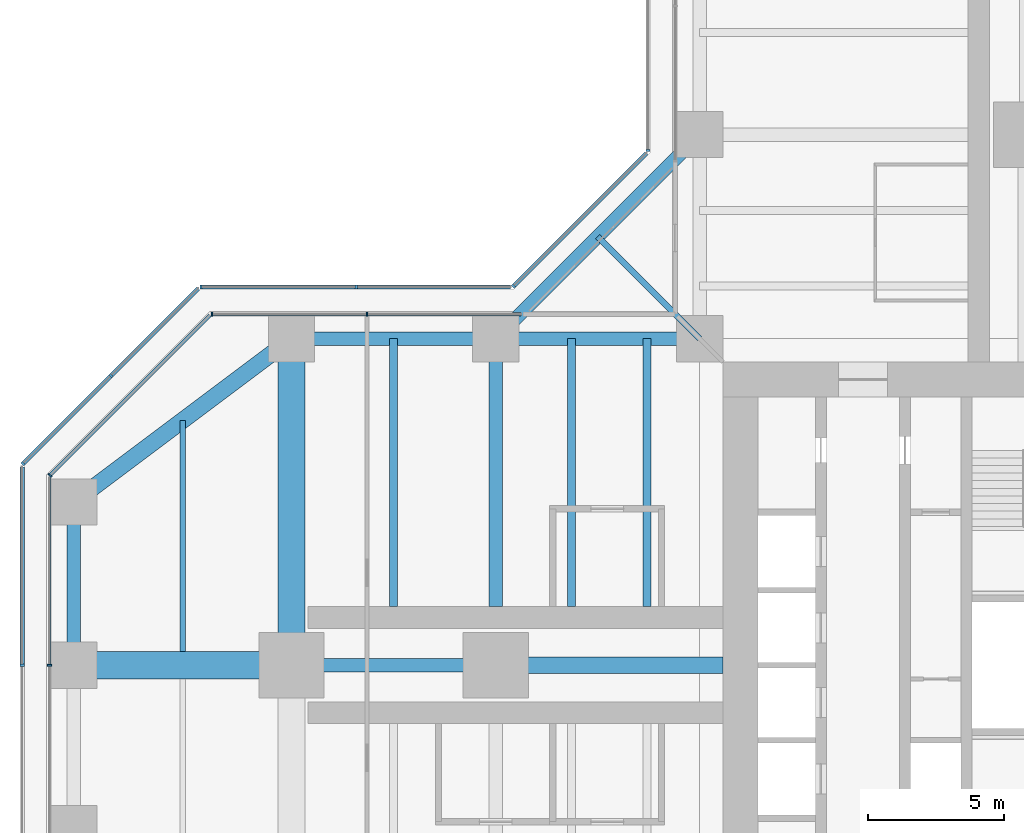
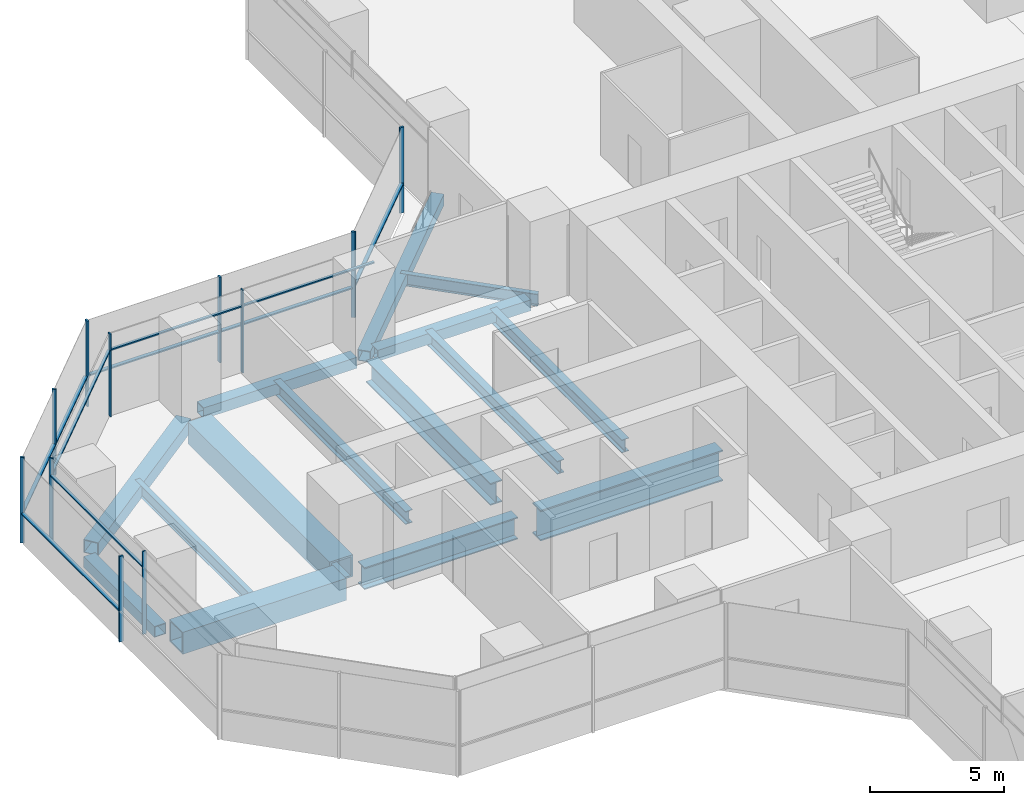
# One storey, part 8 of 22: 21 members, 15 beams, 8 elements without a shape of their own.
"""IFC4 building model written with IfcOpenShell, lengths in metres."""

import ifcopenshell
import ifcopenshell.guid

model = None  # the IFC model being written
_history = None  # IfcOwnerHistory: only IFC2X3 demands one
_inside = {}  # id of a spatial element -> (the spatial element, [elements in it])
_under = {}  # id of a project, library or spatial element -> (it, [spatial elements below it])
_declared = {}  # id of a project -> (the project, [libraries it declares])
_typed = {}  # id of a type object -> (the type object, [elements of that type])
_made_of = {}  # id of a material, layer set ... -> (it, [elements and type objects made of it])


def new_model(schema):
    """Start an empty IFC model of exactly this schema.

    Asked for "IFC4X3", IfcOpenShell would pick the latest addendum, in which some entities
    have other attributes; the version numbers below select the first issue.
    IFC2X3 requires an IfcOwnerHistory on every rooted entity: one is made here for all.
    """
    global model, _history
    if schema == "IFC4X3":
        model = ifcopenshell.file(schema_version=(4, 3, 0, 0))
    else:
        model = ifcopenshell.file(schema=schema)
    _inside.clear()
    _under.clear()
    _declared.clear()
    _typed.clear()
    _made_of.clear()
    _history = None
    if model.schema == "IFC2X3":
        org = make("IfcOrganization", Name="unknown")
        user = make(
            "IfcPersonAndOrganization",
            ThePerson=make("IfcPerson", FamilyName="unknown"),
            TheOrganization=org,
        )
        app = make(
            "IfcApplication",
            ApplicationDeveloper=org,
            Version="unknown",
            ApplicationFullName="unknown",
            ApplicationIdentifier="unknown",
        )
        _history = make(
            "IfcOwnerHistory",
            OwningUser=user,
            OwningApplication=app,
            ChangeAction="ADDED",
            CreationDate=0,
        )
    return model


def make(cls, **values):
    """One entity of the class cls with the attributes given. An attribute that is None is left unset."""
    return model.create_entity(
        cls, **{name: value for name, value in values.items() if value is not None}
    )


def rooted(cls, **values):
    """An entity with a GlobalId (a new one), such as an element, a storey or a relation."""
    return make(cls, GlobalId=ifcopenshell.guid.new(), OwnerHistory=_history, **values)


def si_unit(unit_type, name, prefix=None):
    """IfcSIUnit, for example si_unit("LENGTHUNIT", "METRE", prefix="MILLI")."""
    return make("IfcSIUnit", UnitType=unit_type, Prefix=prefix, Name=name)


def assignment(units):
    """IfcUnitAssignment: the units of a project."""
    return None if units is None else make("IfcUnitAssignment", Units=units)


def point(xyz):
    """IfcCartesianPoint."""
    return None if xyz is None else make("IfcCartesianPoint", Coordinates=xyz)


def direction(xyz):
    """IfcDirection."""
    return None if xyz is None else make("IfcDirection", DirectionRatios=xyz)


def frame(location, z_axis=None, x_axis=None):
    """IfcAxis2Placement3D, a coordinate frame: its origin and axes. An axis left out is left unset."""
    return make(
        "IfcAxis2Placement3D",
        Location=point(location),
        Axis=direction(z_axis),
        RefDirection=direction(x_axis),
    )


def frame_2d(location, x_axis=None):
    """IfcAxis2Placement2D, a coordinate frame in the plane: its origin and x axis."""
    return make(
        "IfcAxis2Placement2D", Location=point(location), RefDirection=direction(x_axis)
    )


def origin():
    """The frame at (0, 0, 0) with its axes left unset."""
    return frame((0.0, 0.0, 0.0))


def origin_2d():
    """The frame at (0, 0) in the plane with its x axis left unset."""
    return frame_2d((0.0, 0.0))


def place(relative_to, where):
    """IfcLocalPlacement: puts the frame where relative to a parent placement (None: the world)."""
    return make(
        "IfcLocalPlacement", PlacementRelTo=relative_to, RelativePlacement=where
    )


def context(
    kind, dimensions, precision=None, world=None, true_north=None, identifier=None
):
    """IfcGeometricRepresentationContext, for example the 3D "Model" context."""
    return make(
        "IfcGeometricRepresentationContext",
        ContextIdentifier=identifier,
        ContextType=kind,
        CoordinateSpaceDimension=dimensions,
        Precision=precision,
        WorldCoordinateSystem=world,
        TrueNorth=true_north,
    )


def subcontext(parent, identifier, kind, view, scale=None):
    """IfcGeometricRepresentationSubContext, for example "Body" below "Model"."""
    return make(
        "IfcGeometricRepresentationSubContext",
        ContextIdentifier=identifier,
        ContextType=kind,
        ParentContext=parent,
        TargetScale=scale,
        TargetView=view,
    )


def project(units=None, contexts=None):
    """IfcProject with its units and contexts."""
    return rooted(
        "IfcProject",
        Name="project",
        RepresentationContexts=contexts,
        UnitsInContext=assignment(units),
    )


def spatial(cls, under=None, at=None, **own):
    """A site, building, storey or space (cls), placed at a placement, below another one or the project."""
    s = rooted(cls, ObjectPlacement=at, **own)
    if under is not None:
        _under.setdefault(under.id(), (under, []))[1].append(s)
    return s


def profile(cls, at=None, kind="AREA", **sizes):
    """A parametric profile (cls). Its sizes go by their IFC names, for example OverallWidth=200.0."""
    return make(cls, ProfileType=kind, Position=at, **sizes)


def rectangle(**sizes):
    """IfcRectangleProfileDef."""
    return profile("IfcRectangleProfileDef", **sizes)


def hollow_rectangle(**sizes):
    """IfcRectangleHollowProfileDef."""
    return profile("IfcRectangleHollowProfileDef", **sizes)


def i_section(**sizes):
    """IfcIShapeProfileDef."""
    return profile("IfcIShapeProfileDef", **sizes)


def extrude(swept, where, along, depth):
    """IfcExtrudedAreaSolid: the profile swept, set in the frame where, extruded along a direction by depth."""
    return make(
        "IfcExtrudedAreaSolid",
        SweptArea=swept,
        Position=where,
        ExtrudedDirection=direction(along),
        Depth=depth,
    )


def shape(context_of_items, identifier, shape_type, items):
    """IfcShapeRepresentation: the items that make up one representation, for example the "Body"."""
    return make(
        "IfcShapeRepresentation",
        ContextOfItems=context_of_items,
        RepresentationIdentifier=identifier,
        RepresentationType=shape_type,
        Items=items,
    )


def material(Name=None, Category=None):
    """IfcMaterial."""
    return make("IfcMaterial", Name=Name, Category=Category)


def material_profile(
    of_material, cross_section, Name=None, Category=None, Priority=None
):
    """IfcMaterialProfile: a cross section and its material."""
    return make(
        "IfcMaterialProfile",
        Name=Name,
        Material=of_material,
        Profile=cross_section,
        Priority=Priority,
        Category=Category,
    )


def profile_set(profiles, Name=None, composite=None):
    """IfcMaterialProfileSet."""
    return make(
        "IfcMaterialProfileSet",
        Name=Name,
        MaterialProfiles=profiles,
        CompositeProfile=composite,
    )


def made_of(thing, what):
    """Note that an element or type object is made of a material, layer set ...; save() writes the relation."""
    if what is not None:
        _made_of.setdefault(what.id(), (what, []))[1].append(thing)
    return thing


def type_object(cls, material=None, **own):
    """A type object (cls), such as IfcWallType, which elements share."""
    return made_of(rooted(cls, **own), material)


def element(
    cls,
    number,
    at=None,
    inside=None,
    cuts=None,
    type_object=None,
    material=None,
    context=None,
    identifier="Body",
    shape_type=None,
    held_by="IfcProductDefinitionShape",
    body=None,
    shapes=None,
    **own,
):
    """One element of the class cls, such as IfcWall. Its Tag is "e" and its number.

    at: its placement. inside: the storey or other place that contains it. cuts: it is an
    opening in that element (IfcRelVoidsElement). A single representation is given by context,
    identifier, shape_type and body (its items); several are given by shapes. held_by: the class
    of the entity that holds the representations. save() writes the other relations.
    """
    e = rooted(cls, Tag="e%d" % number, ObjectPlacement=at, **own)
    if body is not None:
        shapes = [shape(context, identifier, shape_type, body)]
    if shapes is not None:
        e.Representation = make(held_by, Representations=shapes)
    if inside is not None:
        _inside.setdefault(inside.id(), (inside, []))[1].append(e)
    if cuts is not None:
        rooted(
            "IfcRelVoidsElement", RelatingBuildingElement=cuts, RelatedOpeningElement=e
        )
    if type_object is not None:
        _typed.setdefault(type_object.id(), (type_object, []))[1].append(e)
    return made_of(e, material)


def aggregate(whole, parts):
    """IfcRelAggregates: a whole, such as a stair, and the parts it consists of."""
    return rooted("IfcRelAggregates", RelatingObject=whole, RelatedObjects=parts)


def save(model, path):
    """Write the relations noted so far, then the file.

    IfcRelAggregates (storeys below a building ...), IfcRelContainedInSpatialStructure (elements
    in a storey), IfcRelDefinesByType, IfcRelAssociatesMaterial and IfcRelDeclares: one each for
    every whole, place, type object, material and project.
    """
    for whole, parts in _under.values():
        aggregate(whole, parts)
    for where, things in _inside.values():
        rooted(
            "IfcRelContainedInSpatialStructure",
            RelatedElements=things,
            RelatingStructure=where,
        )
    for kind, things in _typed.values():
        rooted("IfcRelDefinesByType", RelatedObjects=things, RelatingType=kind)
    for what, things in _made_of.values():
        rooted("IfcRelAssociatesMaterial", RelatedObjects=things, RelatingMaterial=what)
    for by, libraries in _declared.values():
        rooted("IfcRelDeclares", RelatingContext=by, RelatedDefinitions=libraries)
    model.write(path)


model = new_model("IFC4")

# Units and contexts
model_context = context("Model", 3, precision=1e-05, world=origin(), true_north=direction((0.0, 1.0)))
body_context = subcontext(model_context, "Body", "Model", "MODEL_VIEW")
ifc_project = project(units=[si_unit("LENGTHUNIT", "METRE"), si_unit("AREAUNIT", "SQUARE_METRE"), si_unit("VOLUMEUNIT", "CUBIC_METRE"), si_unit("PLANEANGLEUNIT", "RADIAN"), si_unit("MASSUNIT", "GRAM", prefix="KILO")], contexts=[model_context])

# Site, building, storey
site_placement = place(None, origin())
site = spatial("IfcSite", under=ifc_project, at=site_placement, CompositionType="ELEMENT")
building_placement = place(site_placement, origin())
building = spatial("IfcBuilding", under=site, at=building_placement, Name="Mizan Broadcast Tower", CompositionType="ELEMENT")
storey_placement = place(building_placement, frame((0.0, 0.0, 59.10009765625)))
storey = spatial("IfcBuildingStorey", under=building, at=storey_placement, Name="L11", CompositionType="ELEMENT", Elevation=59.10009765625)

# Beams
ifc_material_1 = material(Name="Steel S355", Category="steel")
ifc_material_profile_1 = material_profile(ifc_material_1, hollow_rectangle(XDim=0.5, YDim=0.5, WallThickness=0.030029296875, at=origin_2d()), Name="BOX 500x500x30")
ifc_profile_set_1 = profile_set([ifc_material_profile_1], Name="Steel S355")
beam_type_1 = type_object("IfcBeamType", Name="EDGE BEAM BOX 500x500x30", PredefinedType="SPANDREL", material=ifc_profile_set_1)
for number, where, z_axis, x_axis, name in (
    (1, (-12.449951171875, 12.0, -0.380126953125), (-1.0, 0.0, 0.0), (0.0, -1.0, 0.0), "Edge beam BOX 500x500x30 L11 west arm"),
    (2, (-19.949951171875, 12.0, -0.380126953125), (-1.0, 0.0, 0.0), (0.0, -1.0, 0.0), "Edge beam BOX 500x500x30 L11 west arm"),
):
    element("IfcBeam", number, at=place(storey_placement, frame(where, z_axis=z_axis, x_axis=x_axis)), inside=storey, type_object=beam_type_1, Name=name, PredefinedType="SPANDREL", context=body_context, shape_type="SweptSolid", body=[
        extrude(hollow_rectangle(XDim=0.5, YDim=0.5, WallThickness=0.030029296875, at=origin_2d()), origin(), (0.0, 0.0, 1.0), 6.60009765625),
    ])
beam_1_placement = place(storey_placement, frame((-35.0, 5.639892578125, -0.380126953125), z_axis=(0.0, -1.0, 0.0), x_axis=(1.0, 0.0, 0.0)))
element("IfcBeam", 3, at=beam_1_placement, inside=storey, type_object=beam_type_1, Name="Edge beam BOX 500x500x30 L11 west arm", PredefinedType="SPANDREL", context=body_context, shape_type="SweptSolid", body=[
    extrude(hollow_rectangle(XDim=0.5, YDim=0.5, WallThickness=0.030029296875, at=origin_2d()), origin(), (0.0, 0.0, 1.0), 5.27978515625),
])
beam_2_placement = place(storey_placement, frame((-12.0, 19.5, -0.380126953125), z_axis=(-0.707106781187, -0.707106781187, 0.0), x_axis=(0.707106781187, -0.707106781187, 0.0)))
element("IfcBeam", 4, at=beam_2_placement, inside=storey, type_object=beam_type_1, Name="Winter garden edge beam L11 N", PredefinedType="SPANDREL", context=body_context, shape_type="SweptSolid", body=[
    extrude(hollow_rectangle(XDim=0.5, YDim=0.5, WallThickness=0.030029296875, at=origin_2d()), origin(), (0.0, 0.0, 1.0), 10.606689453125),
])
ifc_material_2 = material(Name="Steel S355", Category="steel")
ifc_material_profile_2 = material_profile(ifc_material_2, hollow_rectangle(XDim=0.60009765625, YDim=0.60009765625, WallThickness=0.030029296875, at=origin_2d()), Name="BOX 600x600x30")
ifc_profile_set_2 = profile_set([ifc_material_profile_2], Name="Steel S355")
beam_type_2 = type_object("IfcBeamType", Name="EDGE BEAM BOX 600x600x30", PredefinedType="SPANDREL", material=ifc_profile_set_2)
beam_3_placement = place(storey_placement, frame((-27.47998046875, 11.639892578125, -0.43017578125), z_axis=(-0.800013316712, -0.599982243973, 0.0), x_axis=(0.599982243973, -0.800013316712, 0.0)))
element("IfcBeam", 5, at=beam_3_placement, inside=storey, type_object=beam_type_2, Name="Edge beam BOX 600x600x30 L11 west arm", PredefinedType="SPANDREL", context=body_context, shape_type="SweptSolid", body=[
    extrude(hollow_rectangle(XDim=0.60009765625, YDim=0.60009765625, WallThickness=0.030029296875, at=origin_2d()), origin(), (0.0, 0.0, 1.0), 8.7998046875),
])
ifc_material_3 = material(Name="Steel S460", Category="steel")
ifc_material_profile_3 = material_profile(ifc_material_3, hollow_rectangle(XDim=1.0, YDim=1.0, WallThickness=0.06005859375, at=origin_2d()), Name="BOX 1000x1000x60")
ifc_profile_set_3 = profile_set([ifc_material_profile_3], Name="Steel S460")
beam_type_3 = type_object("IfcBeamType", Name="GIRDER BOX 1000x1000x60", PredefinedType="BEAM", material=ifc_profile_set_3)
beam_4_placement = place(storey_placement, frame((-27.47998046875, 0.0, -0.630126953125), z_axis=(-1.0, 0.0, 0.0), x_axis=(0.0, -1.0, 0.0)))
element("IfcBeam", 6, at=beam_4_placement, inside=storey, type_object=beam_type_3, Name="Girder BOX 1000x1000x60 L11 west arm", PredefinedType="BEAM", context=body_context, shape_type="SweptSolid", body=[
    extrude(hollow_rectangle(XDim=1.0, YDim=1.0, WallThickness=0.06005859375, at=origin_2d()), origin(), (0.0, 0.0, 1.0), 7.0400390625),
])
ifc_material_4 = material(Name="Steel S460", Category="steel")
ifc_material_profile_4 = material_profile(ifc_material_4, hollow_rectangle(XDim=1.0, YDim=1.0, WallThickness=0.080078125, at=origin_2d()), Name="BOX 1000x1000x80")
ifc_profile_set_4 = profile_set([ifc_material_profile_4], Name="Steel S460")
beam_type_4 = type_object("IfcBeamType", Name="GIRDER BOX 1000x1000x80", PredefinedType="BEAM", material=ifc_profile_set_4)
beam_5_placement = place(storey_placement, frame((-27.0, 11.280029296875, -0.630126953125), z_axis=(0.0, -1.0, 0.0), x_axis=(1.0, 0.0, 0.0)))
element("IfcBeam", 7, at=beam_5_placement, inside=storey, type_object=beam_type_4, Name="Girder BOX 1000x1000x80 L11 west arm", PredefinedType="BEAM", context=body_context, shape_type="SweptSolid", body=[
    extrude(hollow_rectangle(XDim=1.0, YDim=1.0, WallThickness=0.080078125, at=origin_2d()), origin(), (0.0, 0.0, 1.0), 10.56005859375),
])
ifc_material_5 = material(Name="Steel S460", Category="steel")
ifc_material_profile_5 = material_profile(ifc_material_5, i_section(OverallWidth=0.5, OverallDepth=1.0, WebThickness=0.02490234375, FlangeThickness=0.050048828125, at=origin_2d()), Name="WPG 1000x500")
ifc_profile_set_5 = profile_set([ifc_material_profile_5], Name="Steel S460")
beam_type_5 = type_object("IfcBeamType", Name="GIRDER WPG 1000x500", PredefinedType="BEAM", material=ifc_profile_set_5)
beam_6_placement = place(storey_placement, frame((-19.949951171875, 0.0, -0.630126953125), z_axis=(-1.0, 0.0, 0.0), x_axis=(0.0, -1.0, 0.0)))
element("IfcBeam", 8, at=beam_6_placement, inside=storey, type_object=beam_type_5, Name="Girder WPG 1000x500 L11 west arm", PredefinedType="BEAM", context=body_context, shape_type="SweptSolid", body=[
    extrude(i_section(OverallWidth=0.5, OverallDepth=1.0, WebThickness=0.02490234375, FlangeThickness=0.050048828125, at=origin_2d()), origin(), (0.0, 0.0, 1.0), 6.60009765625),
])
beam_7_placement = place(storey_placement, frame((-19.5, 11.408935546875, -0.630126953125), z_axis=(0.0, -1.0, 0.0), x_axis=(1.0, 0.0, 0.0)))
element("IfcBeam", 9, at=beam_7_placement, inside=storey, type_object=beam_type_5, Name="Girder WPG 1000x500 L11 west arm", PredefinedType="BEAM", context=body_context, shape_type="SweptSolid", body=[
    extrude(i_section(OverallWidth=0.5, OverallDepth=1.0, WebThickness=0.02490234375, FlangeThickness=0.050048828125, at=origin_2d()), origin(), (0.0, 0.0, 1.0), 9.259033203125),
])
ifc_material_6 = material(Name="Steel S460", Category="steel")
ifc_material_profile_6 = material_profile(ifc_material_6, i_section(OverallWidth=0.60009765625, OverallDepth=1.39990234375, WebThickness=0.02490234375, FlangeThickness=0.06005859375, at=origin_2d()), Name="WPG 1400x600")
ifc_profile_set_6 = profile_set([ifc_material_profile_6], Name="Steel S460")
beam_type_6 = type_object("IfcBeamType", Name="GIRDER WPG 1400x600", PredefinedType="BEAM", material=ifc_profile_set_6)
beam_8_placement = place(storey_placement, frame((-11.14990234375, 0.0, -0.830078125), z_axis=(-1.0, 0.0, 0.0), x_axis=(0.0, -1.0, 0.0)))
element("IfcBeam", 10, at=beam_8_placement, inside=storey, type_object=beam_type_6, Name="Girder WPG 1400x600 L11 west arm", PredefinedType="BEAM", context=body_context, shape_type="SweptSolid", body=[
    extrude(i_section(OverallWidth=0.60009765625, OverallDepth=1.39990234375, WebThickness=0.02490234375, FlangeThickness=0.06005859375, at=origin_2d()), origin(), (0.0, 0.0, 1.0), 7.84912109375),
])

# Curtain wall, members
ifc_material_7 = material(Name="Aluminium framed glazing", Category="aluminium")
curtain_wall_type_1 = type_object("IfcCurtainWallType", Name="INNER SKIN LOW ZONE", PredefinedType="USERDEFINED", material=ifc_material_7)
curtain_wall_1_placement = place(storey_placement, origin())
curtain_wall_1 = element("IfcCurtainWall", 11, at=curtain_wall_1_placement, inside=storey, type_object=curtain_wall_type_1, Name="Inner skin low zone L11 W side", ObjectType="INNER SKIN LOW ZONE", PredefinedType="USERDEFINED")
ifc_material_8 = material(Name="Aluminium, pale anodised", Category="aluminium")
ifc_material_profile_7 = material_profile(ifc_material_8, rectangle(XDim=0.159912109375, YDim=0.06005859375, at=origin_2d()), Name="MULLION 160x60")
ifc_profile_set_7 = profile_set([ifc_material_profile_7], Name="Aluminium, pale anodised")
member_type_1 = type_object("IfcMemberType", Name="INNER SKIN MULLION 60x160", PredefinedType="MULLION", material=ifc_profile_set_7)
member_1_placement = place(storey_placement, frame((-24.229248046875, 12.89990234375, 0.0), z_axis=(0.0, 0.0, 1.0), x_axis=(0.0, -1.0, 0.0)))
member_1 = element("IfcMember", 12, at=member_1_placement, type_object=member_type_1, Name="Inner skin low zone L11 W side mullion 2", PredefinedType="MULLION", context=body_context, shape_type="SweptSolid", body=[
    extrude(rectangle(XDim=0.159912109375, YDim=0.06005859375, at=origin_2d()), origin(), (0.0, 0.0, 1.0), 3.77001953125),
])
member_2_placement = place(storey_placement, frame((-29.928466796875, 12.89990234375, 0.0), z_axis=(0.0, 0.0, 1.0), x_axis=(0.0, -1.0, 0.0)))
member_2 = element("IfcMember", 13, at=member_2_placement, type_object=member_type_1, Name="Inner skin low zone L11 W side mullion 3", PredefinedType="MULLION", context=body_context, shape_type="SweptSolid", body=[
    extrude(rectangle(XDim=0.159912109375, YDim=0.06005859375, at=origin_2d()), origin(), (0.0, 0.0, 1.0), 3.77001953125),
])

# Curtain wall, member
curtain_wall_2_placement = place(storey_placement, origin())
curtain_wall_2 = element("IfcCurtainWall", 14, at=curtain_wall_2_placement, inside=storey, type_object=curtain_wall_type_1, Name="Inner skin low zone L11 W chamfer", ObjectType="INNER SKIN LOW ZONE", PredefinedType="USERDEFINED")
member_3_placement = place(storey_placement, frame((-35.87890625, 6.979736328125, 0.0), z_axis=(0.0, 0.0, 1.0), x_axis=(0.707106781187, -0.707106781187, 0.0)))
member_3 = element("IfcMember", 15, at=member_3_placement, type_object=member_type_1, Name="Inner skin low zone L11 W chamfer mullion 2", PredefinedType="MULLION", context=body_context, shape_type="SweptSolid", body=[
    extrude(rectangle(XDim=0.159912109375, YDim=0.06005859375, at=origin_2d()), origin(), (0.0, 0.0, 1.0), 3.77001953125),
])

curtain_wall_3_placement = place(storey_placement, origin())
curtain_wall_3 = element("IfcCurtainWall", 16, at=curtain_wall_3_placement, inside=storey, type_object=curtain_wall_type_1, Name="Inner skin low zone L11 W end", ObjectType="INNER SKIN LOW ZONE", PredefinedType="USERDEFINED")
member_4_placement = place(storey_placement, frame((-35.89990234375, 0.0, 0.0), z_axis=(0.0, 0.0, 1.0), x_axis=(1.0, 0.0, 0.0)))
member_4 = element("IfcMember", 17, at=member_4_placement, type_object=member_type_1, Name="Inner skin low zone L11 W end mullion 2", PredefinedType="MULLION", context=body_context, shape_type="SweptSolid", body=[
    extrude(rectangle(XDim=0.159912109375, YDim=0.06005859375, at=origin_2d()), origin(), (0.0, 0.0, 1.0), 3.77001953125),
])

# Member
ifc_material_9 = material(Name="Aluminium, pale anodised", Category="aluminium")
ifc_material_profile_8 = material_profile(ifc_material_9, rectangle(XDim=0.1201171875, YDim=0.06005859375, at=origin_2d()), Name="TRANSOM 120x60")
ifc_profile_set_8 = profile_set([ifc_material_profile_8], Name="Aluminium, pale anodised")
member_type_2 = type_object("IfcMemberType", Name="INNER SKIN TRANSOM 60x120", PredefinedType="USERDEFINED", material=ifc_profile_set_8)
member_5_placement = place(storey_placement, frame((-18.56005859375, 12.89990234375, 3.02978515625), z_axis=(-1.0, 0.0, 0.0), x_axis=(0.0, -1.0, 0.0)))
member_5 = element("IfcMember", 18, at=member_5_placement, type_object=member_type_2, Name="Inner skin low zone L11 W side transom 1.1", ObjectType="TRANSOM", PredefinedType="USERDEFINED", context=body_context, shape_type="SweptSolid", body=[
    extrude(rectangle(XDim=0.1201171875, YDim=0.06005859375, at=origin_2d()), origin(), (0.0, 0.0, 1.0), 5.63916015625),
])

member_6_placement = place(storey_placement, frame((-24.25927734375, 12.89990234375, 3.02978515625), z_axis=(-1.0, 0.0, 0.0), x_axis=(0.0, -1.0, 0.0)))
member_6 = element("IfcMember", 19, at=member_6_placement, type_object=member_type_2, Name="Inner skin low zone L11 W side transom 2.1", ObjectType="TRANSOM", PredefinedType="USERDEFINED", context=body_context, shape_type="SweptSolid", body=[
    extrude(rectangle(XDim=0.1201171875, YDim=0.06005859375, at=origin_2d()), origin(), (0.0, 0.0, 1.0), 5.639404296875),
])

aggregate(curtain_wall_1, [member_1, member_2, member_5, member_6])

member_7_placement = place(storey_placement, frame((-30.0009765625, 12.857666015625, 3.02978515625), z_axis=(-0.707106781187, -0.707106781187, 0.0), x_axis=(0.707106781187, -0.707106781187, 0.0)))
member_7 = element("IfcMember", 20, at=member_7_placement, type_object=member_type_2, Name="Inner skin low zone L11 W chamfer transom 1.1", ObjectType="TRANSOM", PredefinedType="USERDEFINED", context=body_context, shape_type="SweptSolid", body=[
    extrude(rectangle(XDim=0.1201171875, YDim=0.06005859375, at=origin_2d()), origin(), (0.0, 0.0, 1.0), 8.28271484375),
])

aggregate(curtain_wall_2, [member_3, member_7])

member_8_placement = place(storey_placement, frame((-35.89990234375, 6.898681640625, 3.02978515625), z_axis=(0.0, -1.0, 0.0), x_axis=(1.0, 0.0, 0.0)))
member_8 = element("IfcMember", 21, at=member_8_placement, type_object=member_type_2, Name="Inner skin low zone L11 W end transom 1.1", ObjectType="TRANSOM", PredefinedType="USERDEFINED", context=body_context, shape_type="SweptSolid", body=[
    extrude(rectangle(XDim=0.1201171875, YDim=0.06005859375, at=origin_2d()), origin(), (0.0, 0.0, 1.0), 6.86865234375),
])

aggregate(curtain_wall_3, [member_4, member_8])

# Curtain wall, member
ifc_material_10 = material(Name="Aluminium framed glazing", Category="aluminium")
curtain_wall_type_2 = type_object("IfcCurtainWallType", Name="OUTER SKIN", PredefinedType="USERDEFINED", material=ifc_material_10)
curtain_wall_4_placement = place(storey_placement, origin())
curtain_wall_4 = element("IfcCurtainWall", 22, at=curtain_wall_4_placement, inside=storey, type_object=curtain_wall_type_2, Name="Outer skin L11 N side", ObjectType="OUTER SKIN", PredefinedType="USERDEFINED")
ifc_material_11 = material(Name="Aluminium, pale anodised", Category="aluminium")
ifc_material_profile_9 = material_profile(ifc_material_11, rectangle(XDim=0.159912109375, YDim=0.080078125, at=origin_2d()), Name="MULLION 160x80")
ifc_profile_set_9 = profile_set([ifc_material_profile_9], Name="Aluminium, pale anodised")
member_type_3 = type_object("IfcMemberType", Name="OUTER SKIN MULLION 80x160", PredefinedType="MULLION", material=ifc_profile_set_9)
member_9_placement = place(storey_placement, frame((-13.89990234375, 18.912841796875, 0.0), z_axis=(0.0, 0.0, 1.0), x_axis=(1.0, 0.0, 0.0)))
member_9 = element("IfcMember", 23, at=member_9_placement, type_object=member_type_3, Name="Outer skin L11 N side mullion 3", PredefinedType="MULLION", context=body_context, shape_type="SweptSolid", body=[
    extrude(rectangle(XDim=0.159912109375, YDim=0.080078125, at=origin_2d()), origin(), (0.0, 0.0, 1.0), 3.89990234375),
])
aggregate(curtain_wall_4, [member_9])

curtain_wall_5_placement = place(storey_placement, origin())
curtain_wall_5 = element("IfcCurtainWall", 24, at=curtain_wall_5_placement, inside=storey, type_object=curtain_wall_type_2, Name="Outer skin L11 W chamfer", ObjectType="OUTER SKIN", PredefinedType="USERDEFINED")
member_10_placement = place(storey_placement, frame((-18.844482421875, 13.92822265625, 0.0), z_axis=(0.0, 0.0, 1.0), x_axis=(0.707106781187, -0.707106781187, 0.0)))
member_10 = element("IfcMember", 25, at=member_10_placement, type_object=member_type_3, Name="Outer skin L11 W chamfer mullion 2", PredefinedType="MULLION", context=body_context, shape_type="SweptSolid", body=[
    extrude(rectangle(XDim=0.159912109375, YDim=0.080078125, at=origin_2d()), origin(), (0.0, 0.0, 1.0), 3.89990234375),
])

# Curtain wall, members
curtain_wall_6_placement = place(storey_placement, origin())
curtain_wall_6 = element("IfcCurtainWall", 26, at=curtain_wall_6_placement, inside=storey, type_object=curtain_wall_type_2, Name="Outer skin L11 W side", ObjectType="OUTER SKIN", PredefinedType="USERDEFINED")
member_11_placement = place(storey_placement, frame((-24.622802734375, 13.89990234375, 0.0), z_axis=(0.0, 0.0, 1.0), x_axis=(0.0, -1.0, 0.0)))
member_11 = element("IfcMember", 27, at=member_11_placement, type_object=member_type_3, Name="Outer skin L11 W side mullion 2", PredefinedType="MULLION", context=body_context, shape_type="SweptSolid", body=[
    extrude(rectangle(XDim=0.159912109375, YDim=0.080078125, at=origin_2d()), origin(), (0.0, 0.0, 1.0), 3.89990234375),
])
member_12_placement = place(storey_placement, frame((-30.332763671875, 13.89990234375, 0.0), z_axis=(0.0, 0.0, 1.0), x_axis=(0.0, -1.0, 0.0)))
member_12 = element("IfcMember", 28, at=member_12_placement, type_object=member_type_3, Name="Outer skin L11 W side mullion 3", PredefinedType="MULLION", context=body_context, shape_type="SweptSolid", body=[
    extrude(rectangle(XDim=0.159912109375, YDim=0.080078125, at=origin_2d()), origin(), (0.0, 0.0, 1.0), 3.89990234375),
])

curtain_wall_7_placement = place(storey_placement, origin())
curtain_wall_7 = element("IfcCurtainWall", 29, at=curtain_wall_7_placement, inside=storey, type_object=curtain_wall_type_2, Name="Outer skin L11 W chamfer", ObjectType="OUTER SKIN", PredefinedType="USERDEFINED")
member_13_placement = place(storey_placement, frame((-33.636474609375, 10.636474609375, 0.0), z_axis=(0.0, 0.0, 1.0), x_axis=(0.707106781187, -0.707106781187, 0.0)))
member_13 = element("IfcMember", 30, at=member_13_placement, type_object=member_type_3, Name="Outer skin L11 W chamfer mullion 2", PredefinedType="MULLION", context=body_context, shape_type="SweptSolid", body=[
    extrude(rectangle(XDim=0.159912109375, YDim=0.080078125, at=origin_2d()), origin(), (0.0, 0.0, 1.0), 3.89990234375),
])
member_14_placement = place(storey_placement, frame((-36.871826171875, 7.401123046875, 0.0), z_axis=(0.0, 0.0, 1.0), x_axis=(0.707106781187, -0.707106781187, 0.0)))
member_14 = element("IfcMember", 31, at=member_14_placement, type_object=member_type_3, Name="Outer skin L11 W chamfer mullion 3", PredefinedType="MULLION", context=body_context, shape_type="SweptSolid", body=[
    extrude(rectangle(XDim=0.159912109375, YDim=0.080078125, at=origin_2d()), origin(), (0.0, 0.0, 1.0), 3.89990234375),
])

# Curtain wall, member
curtain_wall_8_placement = place(storey_placement, origin())
curtain_wall_8 = element("IfcCurtainWall", 32, at=curtain_wall_8_placement, inside=storey, type_object=curtain_wall_type_2, Name="Outer skin L11 W end", ObjectType="OUTER SKIN", PredefinedType="USERDEFINED")
member_15_placement = place(storey_placement, frame((-36.89990234375, 0.0, 0.0), z_axis=(0.0, 0.0, 1.0), x_axis=(1.0, 0.0, 0.0)))
member_15 = element("IfcMember", 33, at=member_15_placement, type_object=member_type_3, Name="Outer skin L11 W end mullion 2", PredefinedType="MULLION", context=body_context, shape_type="SweptSolid", body=[
    extrude(rectangle(XDim=0.159912109375, YDim=0.080078125, at=origin_2d()), origin(), (0.0, 0.0, 1.0), 3.89990234375),
])

# Member
ifc_material_12 = material(Name="Aluminium, pale anodised", Category="aluminium")
ifc_material_profile_10 = material_profile(ifc_material_12, rectangle(XDim=0.159912109375, YDim=0.06005859375, at=origin_2d()), Name="TRANSOM 160x60")
ifc_profile_set_10 = profile_set([ifc_material_profile_10], Name="Aluminium, pale anodised")
member_type_4 = type_object("IfcMemberType", Name="OUTER SKIN TRANSOM 60x160", PredefinedType="USERDEFINED", material=ifc_profile_set_10)
member_16_placement = place(storey_placement, frame((-13.95654296875, 18.816162109375, 1.39990234375), z_axis=(-0.707106781187, -0.707106781187, 0.0), x_axis=(0.707106781187, -0.707106781187, 0.0)))
member_16 = element("IfcMember", 34, at=member_16_placement, type_object=member_type_4, Name="Outer skin L11 W chamfer transom 1.1", ObjectType="TRANSOM", PredefinedType="USERDEFINED", context=body_context, shape_type="SweptSolid", body=[
    extrude(rectangle(XDim=0.159912109375, YDim=0.06005859375, at=origin_2d()), origin(), (0.0, 0.0, 1.0), 6.87255859375),
])

aggregate(curtain_wall_5, [member_10, member_16])

member_17_placement = place(storey_placement, frame((-18.952880859375, 13.89990234375, 1.39990234375), z_axis=(-1.0, 0.0, 0.0), x_axis=(0.0, -1.0, 0.0)))
member_17 = element("IfcMember", 35, at=member_17_placement, type_object=member_type_4, Name="Outer skin L11 W side transom 1.1", ObjectType="TRANSOM", PredefinedType="USERDEFINED", context=body_context, shape_type="SweptSolid", body=[
    extrude(rectangle(XDim=0.159912109375, YDim=0.06005859375, at=origin_2d()), origin(), (0.0, 0.0, 1.0), 5.6298828125),
])

member_18_placement = place(storey_placement, frame((-24.662841796875, 13.89990234375, 1.39990234375), z_axis=(-1.0, 0.0, 0.0), x_axis=(0.0, -1.0, 0.0)))
member_18 = element("IfcMember", 36, at=member_18_placement, type_object=member_type_4, Name="Outer skin L11 W side transom 2.1", ObjectType="TRANSOM", PredefinedType="USERDEFINED", context=body_context, shape_type="SweptSolid", body=[
    extrude(rectangle(XDim=0.159912109375, YDim=0.06005859375, at=origin_2d()), origin(), (0.0, 0.0, 1.0), 5.6298828125),
])

aggregate(curtain_wall_6, [member_11, member_12, member_17, member_18])

member_19_placement = place(storey_placement, frame((-30.429443359375, 13.843505859375, 1.39990234375), z_axis=(-0.707106781187, -0.707106781187, 0.0), x_axis=(0.707106781187, -0.707106781187, 0.0)))
member_19 = element("IfcMember", 37, at=member_19_placement, type_object=member_type_4, Name="Outer skin L11 W chamfer transom 1.1", ObjectType="TRANSOM", PredefinedType="USERDEFINED", context=body_context, shape_type="SweptSolid", body=[
    extrude(rectangle(XDim=0.159912109375, YDim=0.06005859375, at=origin_2d()), origin(), (0.0, 0.0, 1.0), 4.495361328125),
])

member_20_placement = place(storey_placement, frame((-33.664794921875, 10.608154296875, 1.39990234375), z_axis=(-0.707106781187, -0.707106781187, 0.0), x_axis=(0.707106781187, -0.707106781187, 0.0)))
member_20 = element("IfcMember", 38, at=member_20_placement, type_object=member_type_4, Name="Outer skin L11 W chamfer transom 2.1", ObjectType="TRANSOM", PredefinedType="USERDEFINED", context=body_context, shape_type="SweptSolid", body=[
    extrude(rectangle(XDim=0.159912109375, YDim=0.06005859375, at=origin_2d()), origin(), (0.0, 0.0, 1.0), 4.495361328125),
])

aggregate(curtain_wall_7, [member_13, member_14, member_19, member_20])

member_21_placement = place(storey_placement, frame((-36.89990234375, 7.292724609375, 1.39990234375), z_axis=(0.0, -1.0, 0.0), x_axis=(1.0, 0.0, 0.0)))
member_21 = element("IfcMember", 39, at=member_21_placement, type_object=member_type_4, Name="Outer skin L11 W end transom 1.1", ObjectType="TRANSOM", PredefinedType="USERDEFINED", context=body_context, shape_type="SweptSolid", body=[
    extrude(rectangle(XDim=0.159912109375, YDim=0.06005859375, at=origin_2d()), origin(), (0.0, 0.0, 1.0), 7.252685546875),
])

aggregate(curtain_wall_8, [member_15, member_21])

# Beams
ifc_material_13 = material(Name="Steel S355", Category="steel")
ifc_material_profile_11 = material_profile(ifc_material_13, i_section(OverallWidth=0.300048828125, OverallDepth=0.590087890625, WebThickness=0.012939453125, FlangeThickness=0.02490234375, FilletRadius=0.027099609375, at=origin_2d()), Name="HEA 600")
ifc_profile_set_11 = profile_set([ifc_material_profile_11], Name="Steel S355")
beam_type_7 = type_object("IfcBeamType", Name="SECONDARY BEAM HEA 600", PredefinedType="JOIST", material=ifc_profile_set_11)
for number, where, z_axis, x_axis, name in (
    (40, (-13.933349609375, 12.0, -0.425048828125), (0.0, -1.0, 0.0), (1.0, 0.0, 0.0), "Secondary beam HEA 600 L11 west arm"),
    (41, (-16.716552734375, 12.0, -0.425048828125), (0.0, -1.0, 0.0), (1.0, 0.0, 0.0), "Secondary beam HEA 600 L11 west arm"),
    (42, (-23.25, 12.0, -0.425048828125), (0.0, -1.0, 0.0), (1.0, 0.0, 0.0), "Secondary beam HEA 600 L11 west arm"),
):
    element("IfcBeam", number, at=place(storey_placement, frame(where, z_axis=z_axis, x_axis=x_axis)), inside=storey, type_object=beam_type_7, Name=name, PredefinedType="JOIST", context=body_context, shape_type="SweptSolid", body=[
        extrude(i_section(OverallWidth=0.300048828125, OverallDepth=0.590087890625, WebThickness=0.012939453125, FlangeThickness=0.02490234375, FilletRadius=0.027099609375, at=origin_2d()), origin(), (0.0, 0.0, 1.0), 9.85009765625),
    ])
ifc_material_14 = material(Name="Steel S355", Category="steel")
ifc_material_profile_12 = material_profile(ifc_material_14, i_section(OverallWidth=0.2099609375, OverallDepth=0.550048828125, WebThickness=0.010986328125, FlangeThickness=0.01708984375, FilletRadius=0.02392578125, at=origin_2d()), Name="IPE 550")
ifc_profile_set_12 = profile_set([ifc_material_profile_12], Name="Steel S355")
beam_type_8 = type_object("IfcBeamType", Name="SECONDARY BEAM IPE 550", PredefinedType="JOIST", material=ifc_profile_set_12)
beam_9_placement = place(storey_placement, frame((-31.0, 9.0, -0.405029296875), z_axis=(0.0, -1.0, 0.0), x_axis=(1.0, 0.0, 0.0)))
element("IfcBeam", 43, at=beam_9_placement, inside=storey, type_object=beam_type_8, Name="Secondary beam IPE 550 L11 west arm", PredefinedType="JOIST", context=body_context, shape_type="SweptSolid", body=[
    extrude(i_section(OverallWidth=0.2099609375, OverallDepth=0.550048828125, WebThickness=0.010986328125, FlangeThickness=0.01708984375, FilletRadius=0.02392578125, at=origin_2d()), origin(), (0.0, 0.0, 1.0), 8.5),
])
beam_10_placement = place(storey_placement, frame((-12.0, 12.0, -0.405029296875), z_axis=(-0.707106781187, 0.707106781187, 0.0), x_axis=(-0.707106781187, -0.707106781187, 0.0)))
element("IfcBeam", 44, at=beam_10_placement, inside=storey, type_object=beam_type_8, Name="Winter garden beam L11 N", PredefinedType="JOIST", context=body_context, shape_type="SweptSolid", body=[
    extrude(i_section(OverallWidth=0.2099609375, OverallDepth=0.550048828125, WebThickness=0.010986328125, FlangeThickness=0.01708984375, FilletRadius=0.02392578125, at=origin_2d()), origin(), (0.0, 0.0, 1.0), 5.30322265625),
])

save(model, "model.ifc")
